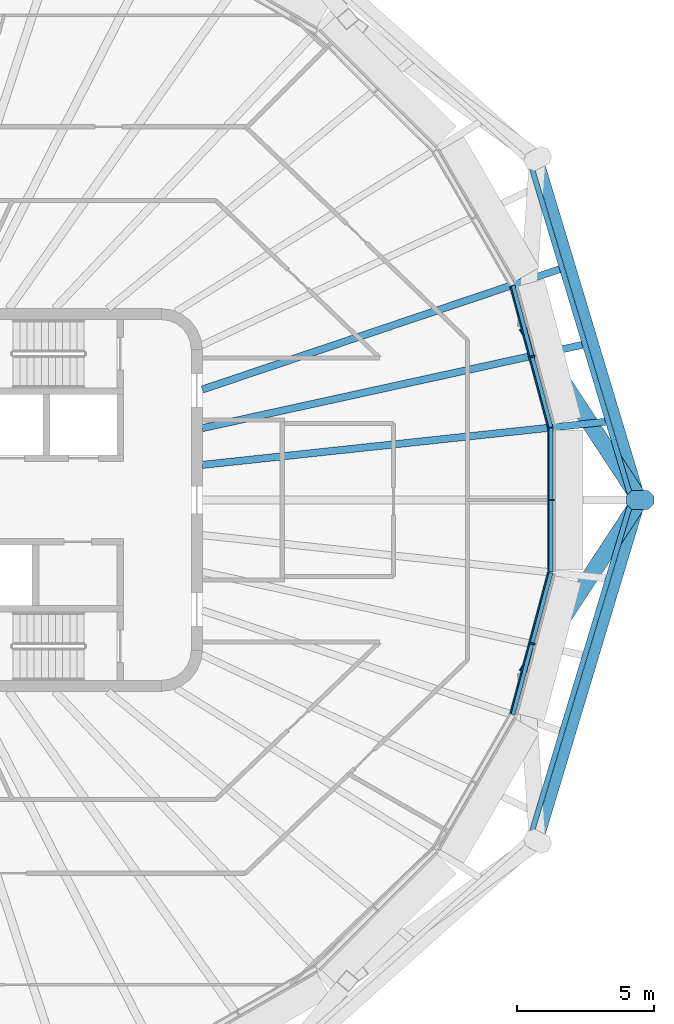
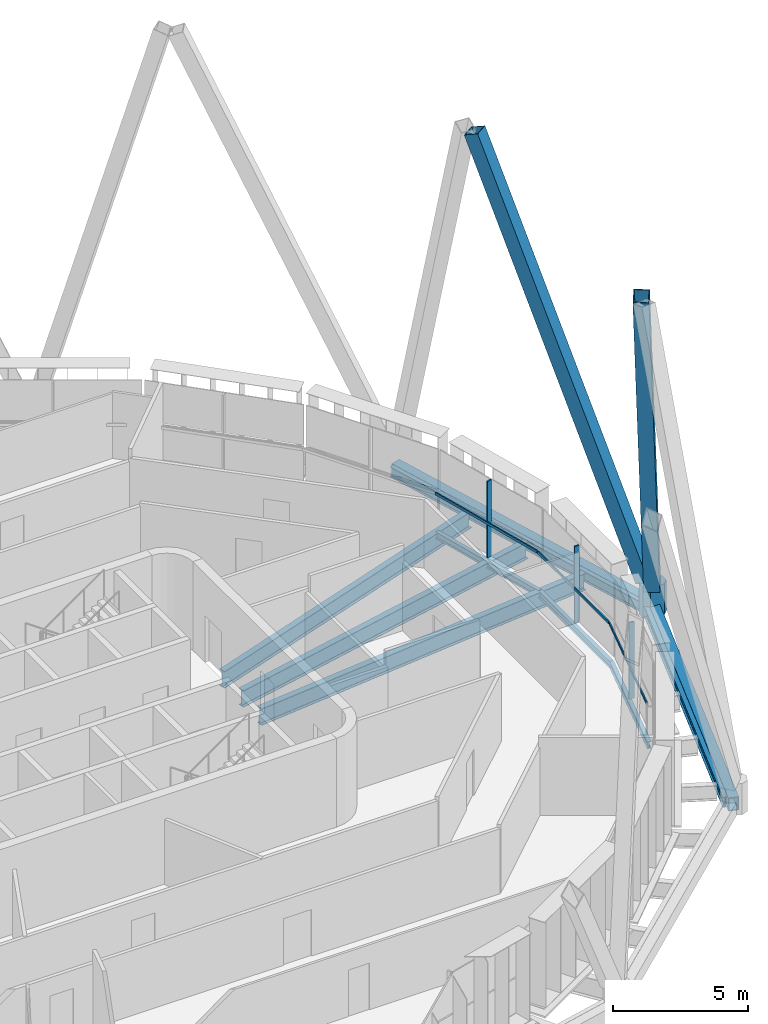
# One storey, part 4 of 18: 10 beams, 9 members, 3 elements without a shape of their own.
"""IFC4 building model written with IfcOpenShell, lengths in metres."""

from ifc_helpers import new_model, si_unit, direction, frame, origin, origin_2d, place, context, subcontext, project, spatial, polyline, rectangle, hollow_rectangle, i_section, outline, extrude, material, layer, layer_set, material_profile, profile_set, type_object, element, aggregate, save


model = new_model("IFC4")

# Units and contexts
model_context = context("Model", 3, precision=1e-05, world=origin(), true_north=direction((0.0, 1.0)))
body_context = subcontext(model_context, "Body", "Model", "MODEL_VIEW")
ifc_project = project(units=[si_unit("LENGTHUNIT", "METRE"), si_unit("AREAUNIT", "SQUARE_METRE"), si_unit("VOLUMEUNIT", "CUBIC_METRE"), si_unit("PLANEANGLEUNIT", "RADIAN"), si_unit("MASSUNIT", "GRAM", prefix="KILO")], contexts=[model_context])

# Site, building, storey
site_placement = place(None, origin())
site = spatial("IfcSite", under=ifc_project, at=site_placement, CompositionType="ELEMENT")
building_placement = place(site_placement, origin())
building = spatial("IfcBuilding", under=site, at=building_placement, Name="Sahrelin Media Tower", CompositionType="ELEMENT")
storey_placement = place(building_placement, frame((0.0, 0.0, 316.39990234375)))
storey = spatial("IfcBuildingStorey", under=building, at=storey_placement, Name="L70", CompositionType="ELEMENT", Elevation=316.39990234375)

# Members
ifc_material_1 = material(Name="Steel S460", Category="steel")
ifc_material_profile_1 = material_profile(ifc_material_1, hollow_rectangle(XDim=0.60009765625, YDim=0.60009765625, WallThickness=0.030029296875, at=origin_2d()), Name="Diagrid diagonal DG9")
ifc_profile_set_1 = profile_set([ifc_material_profile_1], Name="Steel S460")
member_type_1 = type_object("IfcMemberType", Name="Diagrid diagonal DG9", PredefinedType="BRACE", material=ifc_profile_set_1)
for number, where, z_axis, x_axis, name in (
    (1, (27.865478515625, 0.23046875, 0.7001953125), (-0.200801506234, 0.306263315542, 0.930527558242), (-0.836278045072, -0.548305600309, 0.0), "Diagrid diagonal D16-00"),
    (2, (27.865478515625, -0.23046875, 0.7001953125), (-0.200801506234, -0.306263315542, 0.930527558242), (0.836278045072, -0.548305600309, 0.0), "Diagrid diagonal D16-23"),
):
    element("IfcMember", number, at=place(storey_placement, frame(where, z_axis=z_axis, x_axis=x_axis)), inside=storey, type_object=member_type_1, Name=name, PredefinedType="BRACE", context=body_context, shape_type="SweptSolid", body=[
        extrude(hollow_rectangle(XDim=0.60009765625, YDim=0.60009765625, WallThickness=0.030029296875, at=origin_2d()), origin(), (0.0, 0.0, 1.0), 19.34375),
    ])
ifc_material_profile_2 = material_profile(ifc_material_1, outline(polyline([(0.300048828125, -0.35009765625), (0.5, -0.14990234375), (0.5, 0.14990234375), (0.300048828125, 0.35009765625), (-0.300048828125, 0.35009765625), (-0.5, 0.14990234375), (-0.5, -0.14990234375), (-0.300048828125, -0.35009765625), (0.300048828125, -0.35009765625)])), Name="Diagrid node block 1000")
ifc_profile_set_2 = profile_set([ifc_material_profile_2], Name="Steel S460")
member_type_2 = type_object("IfcMemberType", Name="Diagrid node block 1000", PredefinedType="USERDEFINED", material=ifc_profile_set_2)
member_1_placement = place(storey_placement, frame((28.0166015625, 0.0, -0.699951171875), z_axis=(0.0, 0.0, 1.0), x_axis=(1.0, 0.0, 0.0)))
element("IfcMember", 3, at=member_1_placement, inside=storey, type_object=member_type_2, Name="Diagrid node N16-00", ObjectType="NODE", PredefinedType="USERDEFINED", context=body_context, shape_type="SweptSolid", body=[
    extrude(outline(polyline([(0.300048828125, -0.35009765625), (0.5, -0.14990234375), (0.5, 0.14990234375), (0.300048828125, 0.35009765625), (-0.300048828125, 0.35009765625), (-0.5, 0.14990234375), (-0.5, -0.14990234375), (-0.300048828125, -0.35009765625), (0.300048828125, -0.35009765625)])), origin(), (0.0, 0.0, 1.0), 1.400146484375),
])

# Beams
ifc_material_profile_3 = material_profile(ifc_material_1, hollow_rectangle(XDim=0.39990234375, YDim=0.60009765625, WallThickness=0.030029296875, at=origin_2d()), Name="Diagrid ring beam RB1")
ifc_profile_set_3 = profile_set([ifc_material_profile_3], Name="Steel S460")
beam_type_1 = type_object("IfcBeamType", Name="Diagrid ring beam RB1", PredefinedType="BEAM", material=ifc_profile_set_3)
for number, where, z_axis, x_axis, name in (
    (4, (28.0166015625, 0.0, -0.449951171875), (-0.287985396497, 0.957634800644, 0.0), (-0.957634800644, -0.287985396497, 0.0), "Diagrid ring beam RB16-00"),
    (5, (24.26318359375, -12.481201171875, -0.449951171875), (0.287985396497, 0.957634800644, 0.0), (-0.957634800644, 0.287985396497, 0.0), "Diagrid ring beam RB16-11"),
):
    element("IfcBeam", number, at=place(storey_placement, frame(where, z_axis=z_axis, x_axis=x_axis)), inside=storey, type_object=beam_type_1, Name=name, PredefinedType="BEAM", context=body_context, shape_type="SweptSolid", body=[
        extrude(hollow_rectangle(XDim=0.39990234375, YDim=0.60009765625, WallThickness=0.030029296875, at=origin_2d()), origin(), (0.0, 0.0, 1.0), 13.033447265625),
    ])
ifc_material_2 = material(Name="Steel S355", Category="steel")
ifc_material_profile_4 = material_profile(ifc_material_2, i_section(OverallWidth=0.1650390625, OverallDepth=0.303466796875, WebThickness=0.006103515625, FlangeThickness=0.01025390625, FilletRadius=0.0087890625, at=origin_2d()), Name="UB 305x165x40")
ifc_profile_set_4 = profile_set([ifc_material_profile_4], Name="Steel S355")
beam_type_2 = type_object("IfcBeamType", Name="Edge beam EB2", PredefinedType="BEAM", material=ifc_profile_set_4)
beam_1_placement = place(storey_placement, frame((24.748291015625, 2.62939453125, -0.301513671875), z_axis=(0.0, -1.0, 0.0), x_axis=(1.0, 0.0, 0.0)))
element("IfcBeam", 6, at=beam_1_placement, inside=storey, type_object=beam_type_2, Name="Edge beam L70-01", PredefinedType="BEAM", context=body_context, shape_type="SweptSolid", body=[
    extrude(i_section(OverallWidth=0.1650390625, OverallDepth=0.303466796875, WebThickness=0.006103515625, FlangeThickness=0.01025390625, FilletRadius=0.0087890625, at=origin_2d()), origin(), (0.0, 0.0, 1.0), 5.2587890625),
])
for number, where, z_axis, x_axis, name in (
    (7, (24.744384765625, -2.657958984375, -0.301513671875), (-0.258799061773, -0.965931180585, 0.0), (0.965931180585, -0.258799061773, 0.0), "Edge beam L70-02"),
    (8, (23.35693359375, 7.83642578125, -0.301513671875), (0.258799061773, -0.965931180585, 0.0), (0.965931180585, 0.258799061773, 0.0), "Edge beam L70-24"),
):
    element("IfcBeam", number, at=place(storey_placement, frame(where, z_axis=z_axis, x_axis=x_axis)), inside=storey, type_object=beam_type_2, Name=name, PredefinedType="BEAM", context=body_context, shape_type="SweptSolid", body=[
        extrude(i_section(OverallWidth=0.1650390625, OverallDepth=0.303466796875, WebThickness=0.006103515625, FlangeThickness=0.01025390625, FilletRadius=0.0087890625, at=origin_2d()), origin(), (0.0, 0.0, 1.0), 5.361083984375),
    ])

# Curtain wall, member
ifc_material_3 = material(Name="Champagne anodised aluminium 6063-T6", Category="aluminium")
ifc_layer = layer(ifc_material_3, 0.14990234375)
ifc_layer_set = layer_set([ifc_layer], Name="Tower ribbon curtain wall")
curtain_wall_type = type_object("IfcCurtainWallType", Name="Tower ribbon curtain wall", PredefinedType="NOTDEFINED", material=ifc_layer_set)
curtain_wall_1_placement = place(storey_placement, frame((24.898193359375, 0.0, 0.0), z_axis=(0.0, 0.0, 1.0), x_axis=(1.0, 0.0, 0.0)))
curtain_wall_1 = element("IfcCurtainWall", 9, at=curtain_wall_1_placement, inside=storey, type_object=curtain_wall_type, Name="L70:CW:L70-00", PredefinedType="NOTDEFINED")
ifc_material_profile_5 = material_profile(ifc_material_3, rectangle(XDim=0.06005859375, YDim=0.199951171875, at=origin_2d()), Name="Mullion 60x200")
ifc_profile_set_5 = profile_set([ifc_material_profile_5], Name="Champagne anodised aluminium 6063-T6")
member_type_3 = type_object("IfcMemberType", Name="Mullion 60x200 CW1C", PredefinedType="MULLION", material=ifc_profile_set_5)
member_2_placement = place(storey_placement, frame((24.7783203125, 0.0, 0.0), z_axis=(0.0, 0.0, 1.0), x_axis=(0.0, 1.0, 0.0)))
member_2 = element("IfcMember", 10, at=member_2_placement, type_object=member_type_3, Name="L70:CWM:L70-00", PredefinedType="MULLION", context=body_context, shape_type="SweptSolid", body=[
    extrude(rectangle(XDim=0.06005859375, YDim=0.199951171875, at=origin_2d()), origin(), (0.0, 0.0, 1.0), 3.44873046875),
])

curtain_wall_2_placement = place(storey_placement, frame((24.195556640625, 5.285888671875, 0.0), z_axis=(0.0, 0.0, 1.0), x_axis=(1.0, 0.0, 0.0)))
curtain_wall_2 = element("IfcCurtainWall", 11, at=curtain_wall_2_placement, inside=storey, type_object=curtain_wall_type, Name="L70:CW:L70-01", PredefinedType="NOTDEFINED")
member_3_placement = place(storey_placement, frame((24.07958984375, 5.2548828125, 0.0), z_axis=(0.0, 0.0, 1.0), x_axis=(-0.258820730961, 0.965925374563, 0.0)))
member_3 = element("IfcMember", 12, at=member_3_placement, type_object=member_type_3, Name="L70:CWM:L70-01", PredefinedType="MULLION", context=body_context, shape_type="SweptSolid", body=[
    extrude(rectangle(XDim=0.06005859375, YDim=0.199951171875, at=origin_2d()), origin(), (0.0, 0.0, 1.0), 3.44873046875),
])

curtain_wall_3_placement = place(storey_placement, frame((24.195556640625, -5.285888671875, 0.0), z_axis=(0.0, 0.0, 1.0), x_axis=(1.0, 0.0, 0.0)))
curtain_wall_3 = element("IfcCurtainWall", 13, at=curtain_wall_3_placement, inside=storey, type_object=curtain_wall_type, Name="L70:CW:L70-23", PredefinedType="NOTDEFINED")
member_4_placement = place(storey_placement, frame((24.07958984375, -5.2548828125, 0.0), z_axis=(0.0, 0.0, 1.0), x_axis=(0.258820730961, 0.965925374563, 0.0)))
member_4 = element("IfcMember", 14, at=member_4_placement, type_object=member_type_3, Name="L70:CWM:L70-23", PredefinedType="MULLION", context=body_context, shape_type="SweptSolid", body=[
    extrude(rectangle(XDim=0.06005859375, YDim=0.199951171875, at=origin_2d()), origin(), (0.0, 0.0, 1.0), 3.44873046875),
])

# Beams
ifc_material_profile_6 = material_profile(ifc_material_2, i_section(OverallWidth=0.26513671875, OverallDepth=0.75390625, WebThickness=0.0126953125, FlangeThickness=0.017578125, FilletRadius=0.0166015625, at=origin_2d()), Name="UB 762x267x147")
ifc_profile_set_6 = profile_set([ifc_material_profile_6], Name="Steel S355")
beam_type_3 = type_object("IfcBeamType", Name="Radial primary beam PB9", PredefinedType="BEAM", material=ifc_profile_set_6)
beam_2_placement = place(storey_placement, frame((12.0, 1.28369140625, -0.52685546875), z_axis=(0.994325275642, 0.106382546588, 0.0), x_axis=(-0.106382546588, 0.994325275642, 0.0)))
element("IfcBeam", 15, at=beam_2_placement, inside=storey, type_object=beam_type_3, Name="Radial beam L70-01", PredefinedType="BEAM", context=body_context, shape_type="SweptSolid", body=[
    extrude(i_section(OverallWidth=0.26513671875, OverallDepth=0.75390625, WebThickness=0.0126953125, FlangeThickness=0.017578125, FilletRadius=0.0166015625, at=origin_2d()), origin(), (0.0, 0.0, 1.0), 14.82763671875),
])
beam_3_placement = place(storey_placement, frame((12.0, 4.03955078125, -0.52685546875), z_axis=(0.947742354637, 0.319036720812, 0.0), x_axis=(-0.319036720812, 0.947742354637, 0.0)))
element("IfcBeam", 16, at=beam_3_placement, inside=storey, type_object=beam_type_3, Name="Radial beam L70-02", PredefinedType="BEAM", context=body_context, shape_type="SweptSolid", body=[
    extrude(i_section(OverallWidth=0.26513671875, OverallDepth=0.75390625, WebThickness=0.0126953125, FlangeThickness=0.017578125, FilletRadius=0.0166015625, at=origin_2d()), origin(), (0.0, 0.0, 1.0), 13.78662109375),
])
ifc_material_profile_7 = material_profile(ifc_material_2, i_section(OverallWidth=0.26513671875, OverallDepth=0.75390625, WebThickness=0.0126953125, FlangeThickness=0.017578125, FilletRadius=0.0166015625, at=origin_2d()), Name="UB 762x267x147")
ifc_profile_set_7 = profile_set([ifc_material_profile_7], Name="Steel S355")
beam_type_4 = type_object("IfcBeamType", Name="Radial secondary beam SB9", PredefinedType="BEAM", material=ifc_profile_set_7)
beam_4_placement = place(storey_placement, frame((12.0, 2.628662109375, -0.52685546875), z_axis=(0.976840310685, 0.213969641352, 0.0), x_axis=(-0.213969641352, 0.976840310685, 0.0)))
element("IfcBeam", 17, at=beam_4_placement, inside=storey, type_object=beam_type_4, Name="Secondary beam L70-01", PredefinedType="BEAM", context=body_context, shape_type="SweptSolid", body=[
    extrude(i_section(OverallWidth=0.26513671875, OverallDepth=0.75390625, WebThickness=0.0126953125, FlangeThickness=0.017578125, FilletRadius=0.0166015625, at=origin_2d()), origin(), (0.0, 0.0, 1.0), 14.227294921875),
])
ifc_material_profile_8 = material_profile(ifc_material_2, i_section(OverallWidth=0.1904296875, OverallDepth=0.45703125, WebThickness=0.009033203125, FlangeThickness=0.014404296875, FilletRadius=0.01025390625, at=origin_2d()), Name="UB 457x191x74")
ifc_profile_set_8 = profile_set([ifc_material_profile_8], Name="Steel S355")
beam_type_5 = type_object("IfcBeamType", Name="Tie chord TC5", PredefinedType="BEAM", material=ifc_profile_set_8)
for number, where, z_axis, x_axis, name in (
    (18, (27.703125, 0.0, -0.37841796875), (-0.28797840637, -0.957636902727, 0.0), (0.957636902727, -0.28797840637, 0.0), "Tie chord L70-01"),
    (19, (24.000244140625, 12.3134765625, -0.37841796875), (0.28797840637, -0.957636902727, 0.0), (0.957636902727, 0.28797840637, 0.0), "Tie chord L70-12"),
):
    element("IfcBeam", number, at=place(storey_placement, frame(where, z_axis=z_axis, x_axis=x_axis)), inside=storey, type_object=beam_type_5, Name=name, PredefinedType="BEAM", context=body_context, shape_type="SweptSolid", body=[
        extrude(i_section(OverallWidth=0.1904296875, OverallDepth=0.45703125, WebThickness=0.009033203125, FlangeThickness=0.014404296875, FilletRadius=0.01025390625, at=origin_2d()), origin(), (0.0, 0.0, 1.0), 12.858154296875),
    ])

# Member
ifc_material_profile_9 = material_profile(ifc_material_3, rectangle(XDim=0.050048828125, YDim=0.1201171875, at=origin_2d()), Name="Transom 50x120")
ifc_profile_set_9 = profile_set([ifc_material_profile_9], Name="Champagne anodised aluminium 6063-T6")
member_type_4 = type_object("IfcMemberType", Name="Transom 50x120 CW1C", PredefinedType="USERDEFINED", material=ifc_profile_set_9)
member_5_placement = place(storey_placement, frame((24.6533203125, -2.61376953125, 1.60009765625), z_axis=(0.0, 1.0, 0.0), x_axis=(-1.0, 0.0, 0.0)))
member_5 = element("IfcMember", 20, at=member_5_placement, type_object=member_type_4, Name="L70:CWT:L70-00", ObjectType="TRANSOM", PredefinedType="USERDEFINED", context=body_context, shape_type="SweptSolid", body=[
    extrude(rectangle(XDim=0.050048828125, YDim=0.1201171875, at=origin_2d()), origin(), (0.0, 0.0, 1.0), 5.2275390625),
])

aggregate(curtain_wall_1, [member_2, member_5])

member_6_placement = place(storey_placement, frame((24.648681640625, 2.648681640625, 1.60009765625), z_axis=(-0.258820042164, 0.965925559127, 0.0), x_axis=(-0.965925559127, -0.258820042164, 0.0)))
member_6 = element("IfcMember", 21, at=member_6_placement, type_object=member_type_4, Name="L70:CWT:L70-01", ObjectType="TRANSOM", PredefinedType="USERDEFINED", context=body_context, shape_type="SweptSolid", body=[
    extrude(rectangle(XDim=0.050048828125, YDim=0.1201171875, at=origin_2d()), origin(), (0.0, 0.0, 1.0), 5.32958984375),
])

aggregate(curtain_wall_2, [member_3, member_6])

member_7_placement = place(storey_placement, frame((23.269287109375, -7.796630859375, 1.60009765625), z_axis=(0.258820042164, 0.965925559127, 0.0), x_axis=(-0.965925559127, 0.258820042164, 0.0)))
member_7 = element("IfcMember", 22, at=member_7_placement, type_object=member_type_4, Name="L70:CWT:L70-23", ObjectType="TRANSOM", PredefinedType="USERDEFINED", context=body_context, shape_type="SweptSolid", body=[
    extrude(rectangle(XDim=0.050048828125, YDim=0.1201171875, at=origin_2d()), origin(), (0.0, 0.0, 1.0), 5.32958984375),
])

aggregate(curtain_wall_3, [member_4, member_7])

save(model, "model.ifc")
